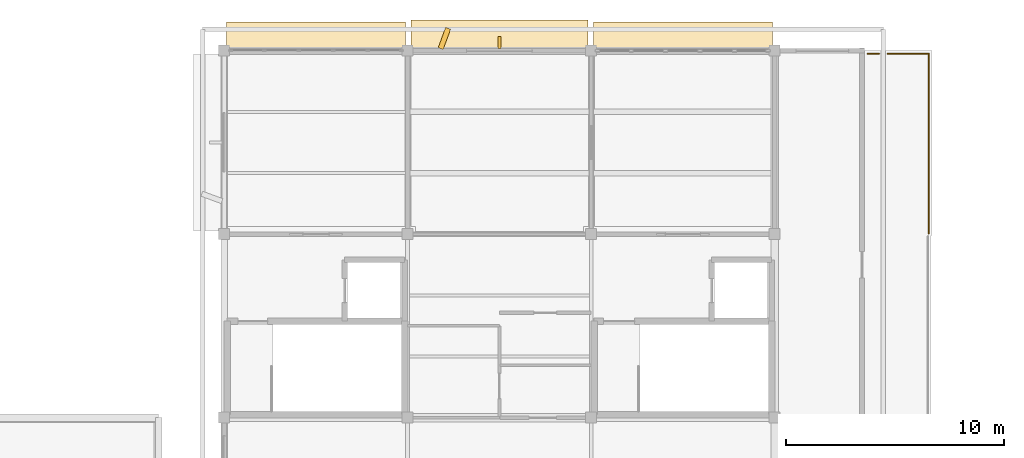
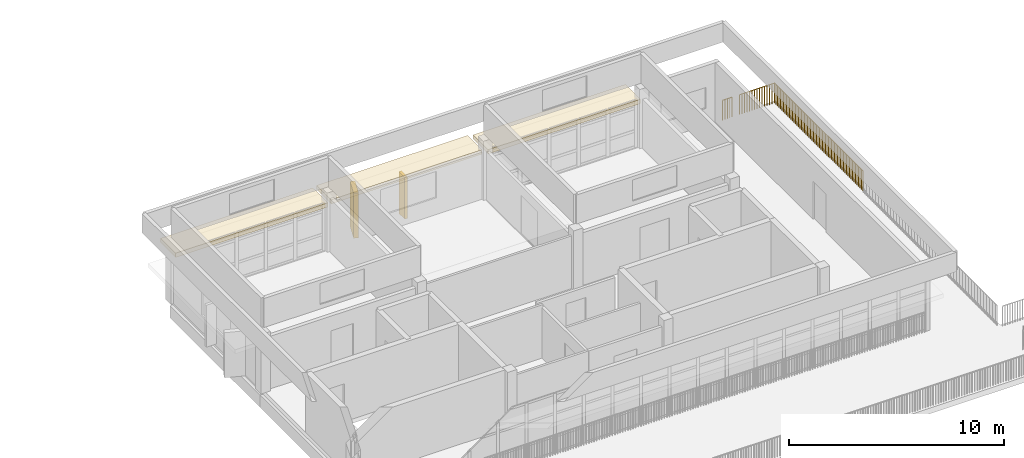
# One storey, part 14 of 14: 4 coverings, 3 railings, 1 shading device.
"""IFC4 building model written with IfcOpenShell, lengths in metres."""

from ifc_helpers import new_model, si_unit, direction, frame, origin, origin_2d, place, context, subcontext, project, spatial, rectangle, circle, extrude, material, layer, layer_set, type_object, element, save


model = new_model("IFC4")

# Units and contexts
model_context = context("Model", 3, precision=1e-05, world=origin(), true_north=direction((0.0, 1.0)))
body_context = subcontext(model_context, "Body", "Model", "MODEL_VIEW")
ifc_project = project(units=[si_unit("LENGTHUNIT", "METRE"), si_unit("AREAUNIT", "SQUARE_METRE"), si_unit("VOLUMEUNIT", "CUBIC_METRE"), si_unit("PLANEANGLEUNIT", "RADIAN"), si_unit("MASSUNIT", "GRAM", prefix="KILO")], contexts=[model_context])

# Site, building, storey
site_placement = place(None, origin())
site = spatial("IfcSite", under=ifc_project, at=site_placement, CompositionType="ELEMENT")
building_placement = place(site_placement, origin())
building = spatial("IfcBuilding", under=site, at=building_placement, Name="Vanh Quang Courtyard School", CompositionType="ELEMENT")
storey_placement = place(building_placement, frame((0.0, 0.0, 22.199951171875)))
storey = spatial("IfcBuildingStorey", under=building, at=storey_placement, Name="L06", CompositionType="ELEMENT", Elevation=22.199951171875)

# Coverings
ifc_material_1 = material(Name="Board-marked precast concrete C40/50", Category="concrete")
ifc_layer = layer(ifc_material_1, 0.239990234375)
ifc_layer_set = layer_set([ifc_layer], Name="Board-marked precast concrete C40/50")
covering_type = type_object("IfcCoveringType", Name="COV-HOOD-CONC", PredefinedType="CLADDING", material=ifc_layer_set)
covering_1_placement = place(storey_placement, frame((81.60009765625, 97.219970703125, 2.43994140625), z_axis=(0.0, 0.0, 1.0), x_axis=(1.0, 0.0, 0.0)))
element("IfcCovering", 1, at=covering_1_placement, inside=storey, type_object=covering_type, Name="Covering CH-01 (L06)", PredefinedType="CLADDING", context=body_context, shape_type="SweptSolid", body=[
    extrude(rectangle(XDim=8.18408203125, YDim=1.39990234375, at=origin_2d()), origin(), (0.0, 0.0, 1.0), 0.239990234375),
])
covering_2_placement = place(storey_placement, frame((90.0, 97.330078125, 2.43994140625), z_axis=(0.0, 0.0, 1.0), x_axis=(1.0, 0.0, 0.0)))
element("IfcCovering", 2, at=covering_2_placement, inside=storey, type_object=covering_type, Name="Covering CH-01 (L06)", PredefinedType="CLADDING", context=body_context, shape_type="SweptSolid", body=[
    extrude(rectangle(XDim=8.10400390625, YDim=1.35009765625, at=origin_2d()), origin(), (0.0, 0.0, 1.0), 0.239990234375),
])
covering_3_placement = place(storey_placement, frame((87.482666015625, 97.159912109375, 0.0), z_axis=(0.0, 0.0, 1.0), x_axis=(0.346608245445, 0.938009980858, 0.0)))
element("IfcCovering", 3, at=covering_3_placement, inside=storey, type_object=covering_type, Name="Covering CH-01 (L06)", PredefinedType="CLADDING", context=body_context, shape_type="SweptSolid", body=[
    extrude(rectangle(XDim=0.980712890625, YDim=0.239990234375, at=origin_2d()), origin(), (0.0, 0.0, 1.0), 2.56005859375),
])
covering_4_placement = place(storey_placement, frame((98.39990234375, 97.219970703125, 2.43994140625), z_axis=(0.0, 0.0, 1.0), x_axis=(1.0, 0.0, 0.0)))
element("IfcCovering", 4, at=covering_4_placement, inside=storey, type_object=covering_type, Name="Covering CH-01 (L06)", PredefinedType="CLADDING", context=body_context, shape_type="SweptSolid", body=[
    extrude(rectangle(XDim=8.18408203125, YDim=1.39990234375, at=origin_2d()), origin(), (0.0, 0.0, 1.0), 0.239990234375),
])

# Railings
ifc_material_2 = material(Name="Galvanised painted steel EN 10025-2 S355J2", Category="steel")
railing_type = type_object("IfcRailingType", Name="RAIL-GUARD-1150", PredefinedType="BALUSTRADE", material=ifc_material_2)
railing_1_placement = place(storey_placement, frame((106.86279296875, 96.4599609375, 0.0)))
element("IfcRailing", 5, at=railing_1_placement, inside=storey, type_object=railing_type, Name="Railing GR-01 (L06)", PredefinedType="BALUSTRADE", context=body_context, shape_type="SweptSolid", body=[
    extrude(circle(Radius=0.02392578125, at=origin_2d()), frame((0.0, 0.0, 1.1259765625), z_axis=(1.0, 0.0, 0.0), x_axis=(0.0, 1.0, 0.0)), (0.0, 0.0, 1.0), 0.51708984375),
    extrude(circle(Radius=0.02099609375, at=origin_2d()), origin(), (0.0, 0.0, 1.0), 1.101806640625),
    extrude(circle(Radius=0.02099609375, at=origin_2d()), frame((0.12939453125, 0.0, 0.0)), (0.0, 0.0, 1.0), 1.101806640625),
    extrude(circle(Radius=0.02099609375, at=origin_2d()), frame((0.258544921875, 0.0, 0.0)), (0.0, 0.0, 1.0), 1.101806640625),
    extrude(circle(Radius=0.02099609375, at=origin_2d()), frame((0.3876953125, 0.0, 0.0)), (0.0, 0.0, 1.0), 1.101806640625),
    extrude(circle(Radius=0.02099609375, at=origin_2d()), frame((0.51708984375, 0.0, 0.0)), (0.0, 0.0, 1.0), 1.101806640625),
])
railing_2_placement = place(storey_placement, frame((107.780029296875, 96.4599609375, 0.0)))
element("IfcRailing", 6, at=railing_2_placement, inside=storey, type_object=railing_type, Name="Railing GR-01 (L06)", PredefinedType="BALUSTRADE", context=body_context, shape_type="SweptSolid", body=[
    extrude(circle(Radius=0.02392578125, at=origin_2d()), frame((0.0, 0.0, 1.1259765625), z_axis=(1.0, 0.0, 0.0), x_axis=(0.0, 1.0, 0.0)), (0.0, 0.0, 1.0), 1.8798828125),
    extrude(circle(Radius=0.02099609375, at=origin_2d()), origin(), (0.0, 0.0, 1.0), 1.101806640625),
    extrude(circle(Radius=0.02099609375, at=origin_2d()), frame((0.13427734375, 0.0, 0.0)), (0.0, 0.0, 1.0), 1.101806640625),
    extrude(circle(Radius=0.02099609375, at=origin_2d()), frame((0.2685546875, 0.0, 0.0)), (0.0, 0.0, 1.0), 1.101806640625),
    extrude(circle(Radius=0.02099609375, at=origin_2d()), frame((0.40283203125, 0.0, 0.0)), (0.0, 0.0, 1.0), 1.101806640625),
    extrude(circle(Radius=0.02099609375, at=origin_2d()), frame((0.537109375, 0.0, 0.0)), (0.0, 0.0, 1.0), 1.101806640625),
    extrude(circle(Radius=0.02099609375, at=origin_2d()), frame((0.67138671875, 0.0, 0.0)), (0.0, 0.0, 1.0), 1.101806640625),
    extrude(circle(Radius=0.02099609375, at=origin_2d()), frame((0.8056640625, 0.0, 0.0)), (0.0, 0.0, 1.0), 1.101806640625),
    extrude(circle(Radius=0.02099609375, at=origin_2d()), frame((0.93994140625, 0.0, 0.0)), (0.0, 0.0, 1.0), 1.101806640625),
    extrude(circle(Radius=0.02099609375, at=origin_2d()), frame((1.07421875, 0.0, 0.0)), (0.0, 0.0, 1.0), 1.101806640625),
    extrude(circle(Radius=0.02099609375, at=origin_2d()), frame((1.20849609375, 0.0, 0.0)), (0.0, 0.0, 1.0), 1.101806640625),
    extrude(circle(Radius=0.02099609375, at=origin_2d()), frame((1.3427734375, 0.0, 0.0)), (0.0, 0.0, 1.0), 1.101806640625),
    extrude(circle(Radius=0.02099609375, at=origin_2d()), frame((1.47705078125, 0.0, 0.0)), (0.0, 0.0, 1.0), 1.101806640625),
    extrude(circle(Radius=0.02099609375, at=origin_2d()), frame((1.611328125, 0.0, 0.0)), (0.0, 0.0, 1.0), 1.101806640625),
    extrude(circle(Radius=0.02099609375, at=origin_2d()), frame((1.74560546875, 0.0, 0.0)), (0.0, 0.0, 1.0), 1.101806640625),
    extrude(circle(Radius=0.02099609375, at=origin_2d()), frame((1.8798828125, 0.0, 0.0)), (0.0, 0.0, 1.0), 1.101806640625),
])
railing_3_placement = place(storey_placement, frame((109.659912109375, 96.4599609375, 0.0)))
element("IfcRailing", 7, at=railing_3_placement, inside=storey, type_object=railing_type, Name="Railing GR-01 (L06)", PredefinedType="BALUSTRADE", context=body_context, shape_type="SweptSolid", body=[
    extrude(circle(Radius=0.02392578125, at=origin_2d()), frame((0.0, 0.0, 1.1259765625), z_axis=(0.0, -1.0, 0.0), x_axis=(1.0, 0.0, 0.0)), (0.0, 0.0, 1.0), 8.231689453125),
    extrude(circle(Radius=0.02099609375, at=origin_2d()), origin(), (0.0, 0.0, 1.0), 1.101806640625),
    extrude(circle(Radius=0.02099609375, at=origin_2d()), frame((0.0, -0.139404296875, 0.0)), (0.0, 0.0, 1.0), 1.101806640625),
    extrude(circle(Radius=0.02099609375, at=origin_2d()), frame((0.0, -0.279052734375, 0.0)), (0.0, 0.0, 1.0), 1.101806640625),
    extrude(circle(Radius=0.02099609375, at=origin_2d()), frame((0.0, -0.41845703125, 0.0)), (0.0, 0.0, 1.0), 1.101806640625),
    extrude(circle(Radius=0.02099609375, at=origin_2d()), frame((0.0, -0.55810546875, 0.0)), (0.0, 0.0, 1.0), 1.101806640625),
    extrude(circle(Radius=0.02099609375, at=origin_2d()), frame((0.0, -0.697509765625, 0.0)), (0.0, 0.0, 1.0), 1.101806640625),
    extrude(circle(Radius=0.02099609375, at=origin_2d()), frame((0.0, -0.837158203125, 0.0)), (0.0, 0.0, 1.0), 1.101806640625),
    extrude(circle(Radius=0.02099609375, at=origin_2d()), frame((0.0, -0.9765625, 0.0)), (0.0, 0.0, 1.0), 1.101806640625),
    extrude(circle(Radius=0.02099609375, at=origin_2d()), frame((0.0, -1.1162109375, 0.0)), (0.0, 0.0, 1.0), 1.101806640625),
    extrude(circle(Radius=0.02099609375, at=origin_2d()), frame((0.0, -1.255615234375, 0.0)), (0.0, 0.0, 1.0), 1.101806640625),
    extrude(circle(Radius=0.02099609375, at=origin_2d()), frame((0.0, -1.395263671875, 0.0)), (0.0, 0.0, 1.0), 1.101806640625),
    extrude(circle(Radius=0.02099609375, at=origin_2d()), frame((0.0, -1.53466796875, 0.0)), (0.0, 0.0, 1.0), 1.101806640625),
    extrude(circle(Radius=0.02099609375, at=origin_2d()), frame((0.0, -1.67431640625, 0.0)), (0.0, 0.0, 1.0), 1.101806640625),
    extrude(circle(Radius=0.02099609375, at=origin_2d()), frame((0.0, -1.813720703125, 0.0)), (0.0, 0.0, 1.0), 1.101806640625),
    extrude(circle(Radius=0.02099609375, at=origin_2d()), frame((0.0, -1.953369140625, 0.0)), (0.0, 0.0, 1.0), 1.101806640625),
    extrude(circle(Radius=0.02099609375, at=origin_2d()), frame((0.0, -2.0927734375, 0.0)), (0.0, 0.0, 1.0), 1.101806640625),
    extrude(circle(Radius=0.02099609375, at=origin_2d()), frame((0.0, -2.232421875, 0.0)), (0.0, 0.0, 1.0), 1.101806640625),
    extrude(circle(Radius=0.02099609375, at=origin_2d()), frame((0.0, -2.371826171875, 0.0)), (0.0, 0.0, 1.0), 1.101806640625),
    extrude(circle(Radius=0.02099609375, at=origin_2d()), frame((0.0, -2.511474609375, 0.0)), (0.0, 0.0, 1.0), 1.101806640625),
    extrude(circle(Radius=0.02099609375, at=origin_2d()), frame((0.0, -2.65087890625, 0.0)), (0.0, 0.0, 1.0), 1.101806640625),
    extrude(circle(Radius=0.02099609375, at=origin_2d()), frame((0.0, -2.790283203125, 0.0)), (0.0, 0.0, 1.0), 1.101806640625),
    extrude(circle(Radius=0.02099609375, at=origin_2d()), frame((0.0, -2.929931640625, 0.0)), (0.0, 0.0, 1.0), 1.101806640625),
    extrude(circle(Radius=0.02099609375, at=origin_2d()), frame((0.0, -3.0693359375, 0.0)), (0.0, 0.0, 1.0), 1.101806640625),
    extrude(circle(Radius=0.02099609375, at=origin_2d()), frame((0.0, -3.208984375, 0.0)), (0.0, 0.0, 1.0), 1.101806640625),
    extrude(circle(Radius=0.02099609375, at=origin_2d()), frame((0.0, -3.348388671875, 0.0)), (0.0, 0.0, 1.0), 1.101806640625),
    extrude(circle(Radius=0.02099609375, at=origin_2d()), frame((0.0, -3.488037109375, 0.0)), (0.0, 0.0, 1.0), 1.101806640625),
    extrude(circle(Radius=0.02099609375, at=origin_2d()), frame((0.0, -3.62744140625, 0.0)), (0.0, 0.0, 1.0), 1.101806640625),
    extrude(circle(Radius=0.02099609375, at=origin_2d()), frame((0.0, -3.76708984375, 0.0)), (0.0, 0.0, 1.0), 1.101806640625),
    extrude(circle(Radius=0.02099609375, at=origin_2d()), frame((0.0, -3.906494140625, 0.0)), (0.0, 0.0, 1.0), 1.101806640625),
    extrude(circle(Radius=0.02099609375, at=origin_2d()), frame((0.0, -4.046142578125, 0.0)), (0.0, 0.0, 1.0), 1.101806640625),
    extrude(circle(Radius=0.02099609375, at=origin_2d()), frame((0.0, -4.185546875, 0.0)), (0.0, 0.0, 1.0), 1.101806640625),
    extrude(circle(Radius=0.02099609375, at=origin_2d()), frame((0.0, -4.3251953125, 0.0)), (0.0, 0.0, 1.0), 1.101806640625),
    extrude(circle(Radius=0.02099609375, at=origin_2d()), frame((0.0, -4.464599609375, 0.0)), (0.0, 0.0, 1.0), 1.101806640625),
    extrude(circle(Radius=0.02099609375, at=origin_2d()), frame((0.0, -4.604248046875, 0.0)), (0.0, 0.0, 1.0), 1.101806640625),
    extrude(circle(Radius=0.02099609375, at=origin_2d()), frame((0.0, -4.74365234375, 0.0)), (0.0, 0.0, 1.0), 1.101806640625),
    extrude(circle(Radius=0.02099609375, at=origin_2d()), frame((0.0, -4.88330078125, 0.0)), (0.0, 0.0, 1.0), 1.101806640625),
    extrude(circle(Radius=0.02099609375, at=origin_2d()), frame((0.0, -5.022705078125, 0.0)), (0.0, 0.0, 1.0), 1.101806640625),
    extrude(circle(Radius=0.02099609375, at=origin_2d()), frame((0.0, -5.162353515625, 0.0)), (0.0, 0.0, 1.0), 1.101806640625),
    extrude(circle(Radius=0.02099609375, at=origin_2d()), frame((0.0, -5.3017578125, 0.0)), (0.0, 0.0, 1.0), 1.101806640625),
    extrude(circle(Radius=0.02099609375, at=origin_2d()), frame((0.0, -5.44140625, 0.0)), (0.0, 0.0, 1.0), 1.101806640625),
    extrude(circle(Radius=0.02099609375, at=origin_2d()), frame((0.0, -5.580810546875, 0.0)), (0.0, 0.0, 1.0), 1.101806640625),
    extrude(circle(Radius=0.02099609375, at=origin_2d()), frame((0.0, -5.72021484375, 0.0)), (0.0, 0.0, 1.0), 1.101806640625),
    extrude(circle(Radius=0.02099609375, at=origin_2d()), frame((0.0, -5.85986328125, 0.0)), (0.0, 0.0, 1.0), 1.101806640625),
    extrude(circle(Radius=0.02099609375, at=origin_2d()), frame((0.0, -5.999267578125, 0.0)), (0.0, 0.0, 1.0), 1.101806640625),
    extrude(circle(Radius=0.02099609375, at=origin_2d()), frame((0.0, -6.138916015625, 0.0)), (0.0, 0.0, 1.0), 1.101806640625),
    extrude(circle(Radius=0.02099609375, at=origin_2d()), frame((0.0, -6.2783203125, 0.0)), (0.0, 0.0, 1.0), 1.101806640625),
    extrude(circle(Radius=0.02099609375, at=origin_2d()), frame((0.0, -6.41796875, 0.0)), (0.0, 0.0, 1.0), 1.101806640625),
    extrude(circle(Radius=0.02099609375, at=origin_2d()), frame((0.0, -6.557373046875, 0.0)), (0.0, 0.0, 1.0), 1.101806640625),
    extrude(circle(Radius=0.02099609375, at=origin_2d()), frame((0.0, -6.697021484375, 0.0)), (0.0, 0.0, 1.0), 1.101806640625),
    extrude(circle(Radius=0.02099609375, at=origin_2d()), frame((0.0, -6.83642578125, 0.0)), (0.0, 0.0, 1.0), 1.101806640625),
    extrude(circle(Radius=0.02099609375, at=origin_2d()), frame((0.0, -6.97607421875, 0.0)), (0.0, 0.0, 1.0), 1.101806640625),
    extrude(circle(Radius=0.02099609375, at=origin_2d()), frame((0.0, -7.115478515625, 0.0)), (0.0, 0.0, 1.0), 1.101806640625),
    extrude(circle(Radius=0.02099609375, at=origin_2d()), frame((0.0, -7.255126953125, 0.0)), (0.0, 0.0, 1.0), 1.101806640625),
    extrude(circle(Radius=0.02099609375, at=origin_2d()), frame((0.0, -7.39453125, 0.0)), (0.0, 0.0, 1.0), 1.101806640625),
    extrude(circle(Radius=0.02099609375, at=origin_2d()), frame((0.0, -7.5341796875, 0.0)), (0.0, 0.0, 1.0), 1.101806640625),
    extrude(circle(Radius=0.02099609375, at=origin_2d()), frame((0.0, -7.673583984375, 0.0)), (0.0, 0.0, 1.0), 1.101806640625),
    extrude(circle(Radius=0.02099609375, at=origin_2d()), frame((0.0, -7.813232421875, 0.0)), (0.0, 0.0, 1.0), 1.101806640625),
    extrude(circle(Radius=0.02099609375, at=origin_2d()), frame((0.0, -7.95263671875, 0.0)), (0.0, 0.0, 1.0), 1.101806640625),
    extrude(circle(Radius=0.02099609375, at=origin_2d()), frame((0.0, -8.09228515625, 0.0)), (0.0, 0.0, 1.0), 1.101806640625),
    extrude(circle(Radius=0.02099609375, at=origin_2d()), frame((0.0, -8.231689453125, 0.0)), (0.0, 0.0, 1.0), 1.101806640625),
])

# Shading device
shading_device_type = type_object("IfcShadingDeviceType", Name="SHD-FIN-CONCRETE", PredefinedType="USERDEFINED", material=ifc_material_1)
shading_device_placement = place(storey_placement, frame((90.0, 96.985107421875, 0.150146484375), z_axis=(0.0, 0.0, 1.0), x_axis=(1.0, 0.0, 0.0)))
element("IfcShadingDevice", 8, at=shading_device_placement, inside=storey, type_object=shading_device_type, Name="Solar Shading SH-02 (L06)", ObjectType="Solar Shading SH-02 (L06)", PredefinedType="USERDEFINED", context=body_context, shape_type="SweptSolid", body=[
    extrude(rectangle(XDim=0.139892578125, YDim=0.550048828125, at=origin_2d()), origin(), (0.0, 0.0, 1.0), 2.3798828125),
])

save(model, "model.ifc")
